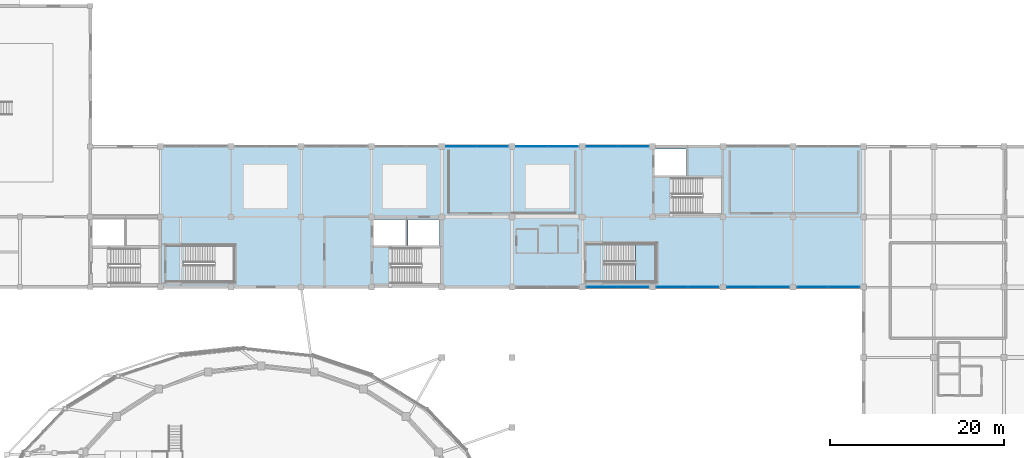
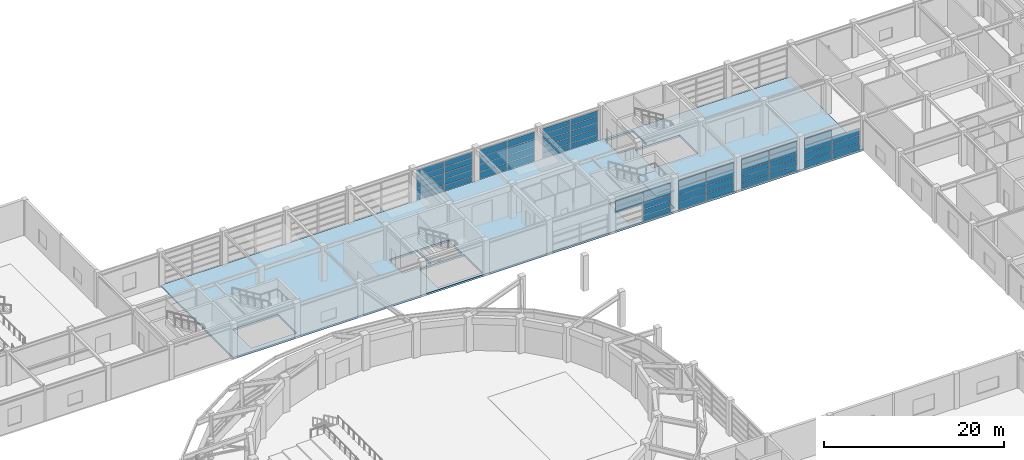
# One storey, part 34 of 56: 60 plates, 2 slabs, 8 elements without a shape of their own.
"""IFC4 building model written with IfcOpenShell, lengths in metres."""

from ifc_helpers import new_model, si_unit, direction, frame, origin, origin_2d, place, context, subcontext, project, spatial, polyline, rectangle, outline, extrude, material, layer, layer_set, type_object, element, aggregate, save


model = new_model("IFC4")

# Units and contexts
model_context = context("Model", 3, precision=1e-05, world=origin(), true_north=direction((0.0, 1.0)))
body_context = subcontext(model_context, "Body", "Model", "MODEL_VIEW")
ifc_project = project(units=[si_unit("LENGTHUNIT", "METRE"), si_unit("AREAUNIT", "SQUARE_METRE"), si_unit("VOLUMEUNIT", "CUBIC_METRE"), si_unit("PLANEANGLEUNIT", "RADIAN"), si_unit("MASSUNIT", "GRAM", prefix="KILO")], contexts=[model_context])

# Site, building, storey
site_placement = place(None, origin())
site = spatial("IfcSite", under=ifc_project, at=site_placement, CompositionType="ELEMENT")
building_placement = place(site_placement, origin())
building = spatial("IfcBuilding", under=site, at=building_placement, Name="Parian Resonance Hall", CompositionType="ELEMENT")
storey_placement = place(building_placement, frame((0.0, 0.0, 5.39990234375)))
storey = spatial("IfcBuildingStorey", under=building, at=storey_placement, Name="L01", CompositionType="ELEMENT", Elevation=5.39990234375)

# Curtain wall, plates
ifc_material_1 = material(Name="Bronze-anodised aluminium frame", Category="aluminium")
curtain_wall_type_1 = type_object("IfcCurtainWallType", Name="CW-SYS-04", PredefinedType="NOTDEFINED", material=ifc_material_1)
curtain_wall_1_placement = place(storey_placement, origin())
curtain_wall_1 = element("IfcCurtainWall", 1, at=curtain_wall_1_placement, inside=storey, type_object=curtain_wall_type_1, Name="Curtain wall CW-L01-091", PredefinedType="NOTDEFINED")
ifc_material_2 = material(Name="Acoustic laminated double glazing", Category="glass")
ifc_layer_1 = layer(ifc_material_2, 0.031982421875)
ifc_layer_set_1 = layer_set([ifc_layer_1], Name="Acoustic laminated double glazing")
plate_type_1 = type_object("IfcPlateType", Name="CWP-IGU32", PredefinedType="CURTAIN_PANEL", material=ifc_layer_set_1)
plate_1_placement = place(storey_placement, frame((67.05615234375, 89.10009765625, 0.05712890625), z_axis=(0.0, 0.0, 1.0), x_axis=(1.0, 0.0, 0.0)))
plate_1 = element("IfcPlate", 2, at=plate_1_placement, type_object=plate_type_1, Name="CW-04 panel 1.1", PredefinedType="CURTAIN_PANEL", context=body_context, shape_type="SweptSolid", body=[
    extrude(rectangle(XDim=3.5224609375, YDim=0.031982421875, at=origin_2d()), origin(), (0.0, 0.0, 1.0), 0.73779296875),
])
plate_2_placement = place(storey_placement, frame((67.05615234375, 89.10009765625, 0.85986328125), z_axis=(0.0, 0.0, 1.0), x_axis=(1.0, 0.0, 0.0)))
plate_2 = element("IfcPlate", 3, at=plate_2_placement, type_object=plate_type_1, Name="CW-04 panel 1.2", PredefinedType="CURTAIN_PANEL", context=body_context, shape_type="SweptSolid", body=[
    extrude(rectangle(XDim=3.5224609375, YDim=0.031982421875, at=origin_2d()), origin(), (0.0, 0.0, 1.0), 0.762451171875),
])
plate_3_placement = place(storey_placement, frame((67.05615234375, 89.10009765625, 1.6875), z_axis=(0.0, 0.0, 1.0), x_axis=(1.0, 0.0, 0.0)))
plate_3 = element("IfcPlate", 4, at=plate_3_placement, type_object=plate_type_1, Name="CW-04 panel 1.3", PredefinedType="CURTAIN_PANEL", context=body_context, shape_type="SweptSolid", body=[
    extrude(rectangle(XDim=3.5224609375, YDim=0.031982421875, at=origin_2d()), origin(), (0.0, 0.0, 1.0), 0.762451171875),
])
plate_4_placement = place(storey_placement, frame((67.05615234375, 89.10009765625, 2.5146484375), z_axis=(0.0, 0.0, 1.0), x_axis=(1.0, 0.0, 0.0)))
plate_4 = element("IfcPlate", 5, at=plate_4_placement, type_object=plate_type_1, Name="CW-04 panel 1.4", PredefinedType="CURTAIN_PANEL", context=body_context, shape_type="SweptSolid", body=[
    extrude(rectangle(XDim=3.5224609375, YDim=0.031982421875, at=origin_2d()), origin(), (0.0, 0.0, 1.0), 0.762451171875),
])
plate_5_placement = place(storey_placement, frame((67.05615234375, 89.10009765625, 3.34228515625), z_axis=(0.0, 0.0, 1.0), x_axis=(1.0, 0.0, 0.0)))
plate_5 = element("IfcPlate", 6, at=plate_5_placement, type_object=plate_type_1, Name="CW-04 panel 1.5", PredefinedType="CURTAIN_PANEL", context=body_context, shape_type="SweptSolid", body=[
    extrude(rectangle(XDim=3.5224609375, YDim=0.031982421875, at=origin_2d()), origin(), (0.0, 0.0, 1.0), 0.739990234375),
])
plate_6_placement = place(storey_placement, frame((70.643798828125, 89.10009765625, 0.05712890625), z_axis=(0.0, 0.0, 1.0), x_axis=(1.0, 0.0, 0.0)))
plate_6 = element("IfcPlate", 7, at=plate_6_placement, type_object=plate_type_1, Name="CW-04 panel 2.1", PredefinedType="CURTAIN_PANEL", context=body_context, shape_type="SweptSolid", body=[
    extrude(rectangle(XDim=3.5224609375, YDim=0.031982421875, at=origin_2d()), origin(), (0.0, 0.0, 1.0), 0.73779296875),
])
plate_7_placement = place(storey_placement, frame((70.643798828125, 89.10009765625, 0.85986328125), z_axis=(0.0, 0.0, 1.0), x_axis=(1.0, 0.0, 0.0)))
plate_7 = element("IfcPlate", 8, at=plate_7_placement, type_object=plate_type_1, Name="CW-04 panel 2.2", PredefinedType="CURTAIN_PANEL", context=body_context, shape_type="SweptSolid", body=[
    extrude(rectangle(XDim=3.5224609375, YDim=0.031982421875, at=origin_2d()), origin(), (0.0, 0.0, 1.0), 0.762451171875),
])
plate_8_placement = place(storey_placement, frame((70.643798828125, 89.10009765625, 1.6875), z_axis=(0.0, 0.0, 1.0), x_axis=(1.0, 0.0, 0.0)))
plate_8 = element("IfcPlate", 9, at=plate_8_placement, type_object=plate_type_1, Name="CW-04 panel 2.3", PredefinedType="CURTAIN_PANEL", context=body_context, shape_type="SweptSolid", body=[
    extrude(rectangle(XDim=3.5224609375, YDim=0.031982421875, at=origin_2d()), origin(), (0.0, 0.0, 1.0), 0.762451171875),
])
plate_9_placement = place(storey_placement, frame((70.643798828125, 89.10009765625, 2.5146484375), z_axis=(0.0, 0.0, 1.0), x_axis=(1.0, 0.0, 0.0)))
plate_9 = element("IfcPlate", 10, at=plate_9_placement, type_object=plate_type_1, Name="CW-04 panel 2.4", PredefinedType="CURTAIN_PANEL", context=body_context, shape_type="SweptSolid", body=[
    extrude(rectangle(XDim=3.5224609375, YDim=0.031982421875, at=origin_2d()), origin(), (0.0, 0.0, 1.0), 0.762451171875),
])
plate_10_placement = place(storey_placement, frame((70.643798828125, 89.10009765625, 3.34228515625), z_axis=(0.0, 0.0, 1.0), x_axis=(1.0, 0.0, 0.0)))
plate_10 = element("IfcPlate", 11, at=plate_10_placement, type_object=plate_type_1, Name="CW-04 panel 2.5", PredefinedType="CURTAIN_PANEL", context=body_context, shape_type="SweptSolid", body=[
    extrude(rectangle(XDim=3.5224609375, YDim=0.031982421875, at=origin_2d()), origin(), (0.0, 0.0, 1.0), 0.739990234375),
])
aggregate(curtain_wall_1, [plate_1, plate_2, plate_3, plate_4, plate_5, plate_6, plate_7, plate_8, plate_9, plate_10])

ifc_material_3 = material(Name="Bronze-anodised aluminium frame", Category="aluminium")
curtain_wall_type_2 = type_object("IfcCurtainWallType", Name="CW-SYS-05", PredefinedType="NOTDEFINED", material=ifc_material_3)
curtain_wall_2_placement = place(storey_placement, origin())
curtain_wall_2 = element("IfcCurtainWall", 12, at=curtain_wall_2_placement, inside=storey, type_object=curtain_wall_type_2, Name="Curtain wall CW-L01-094", PredefinedType="NOTDEFINED")
plate_11_placement = place(storey_placement, frame((75.15869140625, 89.10009765625, 0.06689453125), z_axis=(0.0, 0.0, 1.0), x_axis=(1.0, 0.0, 0.0)))
plate_11 = element("IfcPlate", 13, at=plate_11_placement, type_object=plate_type_1, Name="CW-05 panel 1.1", PredefinedType="CURTAIN_PANEL", context=body_context, shape_type="SweptSolid", body=[
    extrude(rectangle(XDim=3.507568359375, YDim=0.031982421875, at=origin_2d()), origin(), (0.0, 0.0, 1.0), 0.916748046875),
])
plate_12_placement = place(storey_placement, frame((75.15869140625, 89.10009765625, 1.058837890625), z_axis=(0.0, 0.0, 1.0), x_axis=(1.0, 0.0, 0.0)))
plate_12 = element("IfcPlate", 14, at=plate_12_placement, type_object=plate_type_1, Name="CW-05 panel 1.2", PredefinedType="CURTAIN_PANEL", context=body_context, shape_type="SweptSolid", body=[
    extrude(rectangle(XDim=3.507568359375, YDim=0.031982421875, at=origin_2d()), origin(), (0.0, 0.0, 1.0), 0.9462890625),
])
plate_13_placement = place(storey_placement, frame((75.15869140625, 89.10009765625, 2.080078125), z_axis=(0.0, 0.0, 1.0), x_axis=(1.0, 0.0, 0.0)))
plate_13 = element("IfcPlate", 15, at=plate_13_placement, type_object=plate_type_1, Name="CW-05 panel 1.3", PredefinedType="CURTAIN_PANEL", context=body_context, shape_type="SweptSolid", body=[
    extrude(rectangle(XDim=3.507568359375, YDim=0.031982421875, at=origin_2d()), origin(), (0.0, 0.0, 1.0), 0.9462890625),
])
plate_14_placement = place(storey_placement, frame((75.15869140625, 89.10009765625, 3.1015625), z_axis=(0.0, 0.0, 1.0), x_axis=(1.0, 0.0, 0.0)))
plate_14 = element("IfcPlate", 16, at=plate_14_placement, type_object=plate_type_1, Name="CW-05 panel 1.4", PredefinedType="CURTAIN_PANEL", context=body_context, shape_type="SweptSolid", body=[
    extrude(rectangle(XDim=3.507568359375, YDim=0.031982421875, at=origin_2d()), origin(), (0.0, 0.0, 1.0), 0.918701171875),
])
plate_15_placement = place(storey_placement, frame((78.7412109375, 89.10009765625, 0.06689453125), z_axis=(0.0, 0.0, 1.0), x_axis=(1.0, 0.0, 0.0)))
plate_15 = element("IfcPlate", 17, at=plate_15_placement, type_object=plate_type_1, Name="CW-05 panel 2.1", PredefinedType="CURTAIN_PANEL", context=body_context, shape_type="SweptSolid", body=[
    extrude(rectangle(XDim=3.507568359375, YDim=0.031982421875, at=origin_2d()), origin(), (0.0, 0.0, 1.0), 0.916748046875),
])
plate_16_placement = place(storey_placement, frame((78.7412109375, 89.10009765625, 1.058837890625), z_axis=(0.0, 0.0, 1.0), x_axis=(1.0, 0.0, 0.0)))
plate_16 = element("IfcPlate", 18, at=plate_16_placement, type_object=plate_type_1, Name="CW-05 panel 2.2", PredefinedType="CURTAIN_PANEL", context=body_context, shape_type="SweptSolid", body=[
    extrude(rectangle(XDim=3.507568359375, YDim=0.031982421875, at=origin_2d()), origin(), (0.0, 0.0, 1.0), 0.9462890625),
])
plate_17_placement = place(storey_placement, frame((78.7412109375, 89.10009765625, 2.080078125), z_axis=(0.0, 0.0, 1.0), x_axis=(1.0, 0.0, 0.0)))
plate_17 = element("IfcPlate", 19, at=plate_17_placement, type_object=plate_type_1, Name="CW-05 panel 2.3", PredefinedType="CURTAIN_PANEL", context=body_context, shape_type="SweptSolid", body=[
    extrude(rectangle(XDim=3.507568359375, YDim=0.031982421875, at=origin_2d()), origin(), (0.0, 0.0, 1.0), 0.9462890625),
])
plate_18_placement = place(storey_placement, frame((78.7412109375, 89.10009765625, 3.1015625), z_axis=(0.0, 0.0, 1.0), x_axis=(1.0, 0.0, 0.0)))
plate_18 = element("IfcPlate", 20, at=plate_18_placement, type_object=plate_type_1, Name="CW-05 panel 2.4", PredefinedType="CURTAIN_PANEL", context=body_context, shape_type="SweptSolid", body=[
    extrude(rectangle(XDim=3.507568359375, YDim=0.031982421875, at=origin_2d()), origin(), (0.0, 0.0, 1.0), 0.918701171875),
])
aggregate(curtain_wall_2, [plate_11, plate_12, plate_13, plate_14, plate_15, plate_16, plate_17, plate_18])

ifc_material_4 = material(Name="Bronze-anodised aluminium frame", Category="aluminium")
curtain_wall_type_3 = type_object("IfcCurtainWallType", Name="CW-SYS-01", PredefinedType="NOTDEFINED", material=ifc_material_4)
curtain_wall_3_placement = place(storey_placement, origin())
curtain_wall_3 = element("IfcCurtainWall", 21, at=curtain_wall_3_placement, inside=storey, type_object=curtain_wall_type_3, Name="Curtain wall CW-L01-112", PredefinedType="NOTDEFINED")
plate_19_placement = place(storey_placement, frame((86.84130859375, 72.89990234375, 0.06689453125), z_axis=(0.0, 0.0, 1.0), x_axis=(-1.0, 0.0, 0.0)))
plate_19 = element("IfcPlate", 22, at=plate_19_placement, type_object=plate_type_1, Name="CW-01 panel 1.1", PredefinedType="CURTAIN_PANEL", context=body_context, shape_type="SweptSolid", body=[
    extrude(rectangle(XDim=3.507568359375, YDim=0.031982421875, at=origin_2d()), origin(), (0.0, 0.0, 1.0), 0.722900390625),
])
plate_20_placement = place(storey_placement, frame((86.84130859375, 72.89990234375, 0.864990234375), z_axis=(0.0, 0.0, 1.0), x_axis=(-1.0, 0.0, 0.0)))
plate_20 = element("IfcPlate", 23, at=plate_20_placement, type_object=plate_type_1, Name="CW-01 panel 1.2", PredefinedType="CURTAIN_PANEL", context=body_context, shape_type="SweptSolid", body=[
    extrude(rectangle(XDim=3.507568359375, YDim=0.031982421875, at=origin_2d()), origin(), (0.0, 0.0, 1.0), 0.75244140625),
])
plate_21_placement = place(storey_placement, frame((86.84130859375, 72.89990234375, 1.6923828125), z_axis=(0.0, 0.0, 1.0), x_axis=(-1.0, 0.0, 0.0)))
plate_21 = element("IfcPlate", 24, at=plate_21_placement, type_object=plate_type_1, Name="CW-01 panel 1.3", PredefinedType="CURTAIN_PANEL", context=body_context, shape_type="SweptSolid", body=[
    extrude(rectangle(XDim=3.507568359375, YDim=0.031982421875, at=origin_2d()), origin(), (0.0, 0.0, 1.0), 0.75244140625),
])
plate_22_placement = place(storey_placement, frame((86.84130859375, 72.89990234375, 2.519775390625), z_axis=(0.0, 0.0, 1.0), x_axis=(-1.0, 0.0, 0.0)))
plate_22 = element("IfcPlate", 25, at=plate_22_placement, type_object=plate_type_1, Name="CW-01 panel 1.4", PredefinedType="CURTAIN_PANEL", context=body_context, shape_type="SweptSolid", body=[
    extrude(rectangle(XDim=3.507568359375, YDim=0.031982421875, at=origin_2d()), origin(), (0.0, 0.0, 1.0), 0.75244140625),
])
plate_23_placement = place(storey_placement, frame((86.84130859375, 72.89990234375, 3.34716796875), z_axis=(0.0, 0.0, 1.0), x_axis=(-1.0, 0.0, 0.0)))
plate_23 = element("IfcPlate", 26, at=plate_23_placement, type_object=plate_type_1, Name="CW-01 panel 1.5", PredefinedType="CURTAIN_PANEL", context=body_context, shape_type="SweptSolid", body=[
    extrude(rectangle(XDim=3.507568359375, YDim=0.031982421875, at=origin_2d()), origin(), (0.0, 0.0, 1.0), 0.724853515625),
])
plate_24_placement = place(storey_placement, frame((83.2587890625, 72.89990234375, 2.519775390625), z_axis=(0.0, 0.0, 1.0), x_axis=(-1.0, 0.0, 0.0)))
plate_24 = element("IfcPlate", 27, at=plate_24_placement, type_object=plate_type_1, Name="CW-01 panel 2.4", PredefinedType="CURTAIN_PANEL", context=body_context, shape_type="SweptSolid", body=[
    extrude(rectangle(XDim=3.507568359375, YDim=0.031982421875, at=origin_2d()), origin(), (0.0, 0.0, 1.0), 0.75244140625),
])
plate_25_placement = place(storey_placement, frame((83.2587890625, 72.89990234375, 3.34716796875), z_axis=(0.0, 0.0, 1.0), x_axis=(-1.0, 0.0, 0.0)))
plate_25 = element("IfcPlate", 28, at=plate_25_placement, type_object=plate_type_1, Name="CW-01 panel 2.5", PredefinedType="CURTAIN_PANEL", context=body_context, shape_type="SweptSolid", body=[
    extrude(rectangle(XDim=3.507568359375, YDim=0.031982421875, at=origin_2d()), origin(), (0.0, 0.0, 1.0), 0.724853515625),
])
aggregate(curtain_wall_3, [plate_19, plate_20, plate_21, plate_22, plate_23, plate_24, plate_25])

ifc_material_5 = material(Name="Bronze-anodised aluminium frame", Category="aluminium")
curtain_wall_type_4 = type_object("IfcCurtainWallType", Name="CW-SYS-02", PredefinedType="NOTDEFINED", material=ifc_material_5)
curtain_wall_4_placement = place(storey_placement, origin())
curtain_wall_4 = element("IfcCurtainWall", 29, at=curtain_wall_4_placement, inside=storey, type_object=curtain_wall_type_4, Name="Curtain wall CW-L01-118", PredefinedType="NOTDEFINED")
plate_26_placement = place(storey_placement, frame((94.941162109375, 72.89990234375, 0.06689453125), z_axis=(0.0, 0.0, 1.0), x_axis=(-1.0, 0.0, 0.0)))
plate_26 = element("IfcPlate", 30, at=plate_26_placement, type_object=plate_type_1, Name="CW-02 panel 1.1", PredefinedType="CURTAIN_PANEL", context=body_context, shape_type="SweptSolid", body=[
    extrude(rectangle(XDim=3.507568359375, YDim=0.031982421875, at=origin_2d()), origin(), (0.0, 0.0, 1.0), 0.916748046875),
])
plate_27_placement = place(storey_placement, frame((94.941162109375, 72.89990234375, 1.058837890625), z_axis=(0.0, 0.0, 1.0), x_axis=(-1.0, 0.0, 0.0)))
plate_27 = element("IfcPlate", 31, at=plate_27_placement, type_object=plate_type_1, Name="CW-02 panel 1.2", PredefinedType="CURTAIN_PANEL", context=body_context, shape_type="SweptSolid", body=[
    extrude(rectangle(XDim=3.507568359375, YDim=0.031982421875, at=origin_2d()), origin(), (0.0, 0.0, 1.0), 0.9462890625),
])
plate_28_placement = place(storey_placement, frame((94.941162109375, 72.89990234375, 2.080078125), z_axis=(0.0, 0.0, 1.0), x_axis=(-1.0, 0.0, 0.0)))
plate_28 = element("IfcPlate", 32, at=plate_28_placement, type_object=plate_type_1, Name="CW-02 panel 1.3", PredefinedType="CURTAIN_PANEL", context=body_context, shape_type="SweptSolid", body=[
    extrude(rectangle(XDim=3.507568359375, YDim=0.031982421875, at=origin_2d()), origin(), (0.0, 0.0, 1.0), 0.9462890625),
])
plate_29_placement = place(storey_placement, frame((94.941162109375, 72.89990234375, 3.1015625), z_axis=(0.0, 0.0, 1.0), x_axis=(-1.0, 0.0, 0.0)))
plate_29 = element("IfcPlate", 33, at=plate_29_placement, type_object=plate_type_1, Name="CW-02 panel 1.4", PredefinedType="CURTAIN_PANEL", context=body_context, shape_type="SweptSolid", body=[
    extrude(rectangle(XDim=3.507568359375, YDim=0.031982421875, at=origin_2d()), origin(), (0.0, 0.0, 1.0), 0.918701171875),
])
plate_30_placement = place(storey_placement, frame((91.358642578125, 72.89990234375, 0.06689453125), z_axis=(0.0, 0.0, 1.0), x_axis=(-1.0, 0.0, 0.0)))
plate_30 = element("IfcPlate", 34, at=plate_30_placement, type_object=plate_type_1, Name="CW-02 panel 2.1", PredefinedType="CURTAIN_PANEL", context=body_context, shape_type="SweptSolid", body=[
    extrude(rectangle(XDim=3.507568359375, YDim=0.031982421875, at=origin_2d()), origin(), (0.0, 0.0, 1.0), 0.916748046875),
])
plate_31_placement = place(storey_placement, frame((91.358642578125, 72.89990234375, 1.058837890625), z_axis=(0.0, 0.0, 1.0), x_axis=(-1.0, 0.0, 0.0)))
plate_31 = element("IfcPlate", 35, at=plate_31_placement, type_object=plate_type_1, Name="CW-02 panel 2.2", PredefinedType="CURTAIN_PANEL", context=body_context, shape_type="SweptSolid", body=[
    extrude(rectangle(XDim=3.507568359375, YDim=0.031982421875, at=origin_2d()), origin(), (0.0, 0.0, 1.0), 0.9462890625),
])
plate_32_placement = place(storey_placement, frame((91.358642578125, 72.89990234375, 2.080078125), z_axis=(0.0, 0.0, 1.0), x_axis=(-1.0, 0.0, 0.0)))
plate_32 = element("IfcPlate", 36, at=plate_32_placement, type_object=plate_type_1, Name="CW-02 panel 2.3", PredefinedType="CURTAIN_PANEL", context=body_context, shape_type="SweptSolid", body=[
    extrude(rectangle(XDim=3.507568359375, YDim=0.031982421875, at=origin_2d()), origin(), (0.0, 0.0, 1.0), 0.9462890625),
])
plate_33_placement = place(storey_placement, frame((91.358642578125, 72.89990234375, 3.1015625), z_axis=(0.0, 0.0, 1.0), x_axis=(-1.0, 0.0, 0.0)))
plate_33 = element("IfcPlate", 37, at=plate_33_placement, type_object=plate_type_1, Name="CW-02 panel 2.4", PredefinedType="CURTAIN_PANEL", context=body_context, shape_type="SweptSolid", body=[
    extrude(rectangle(XDim=3.507568359375, YDim=0.031982421875, at=origin_2d()), origin(), (0.0, 0.0, 1.0), 0.918701171875),
])
aggregate(curtain_wall_4, [plate_26, plate_27, plate_28, plate_29, plate_30, plate_31, plate_32, plate_33])

ifc_material_6 = material(Name="Bronze-anodised aluminium frame", Category="aluminium")
curtain_wall_type_5 = type_object("IfcCurtainWallType", Name="CW-SYS-03", PredefinedType="NOTDEFINED", material=ifc_material_6)
curtain_wall_5_placement = place(storey_placement, origin())
curtain_wall_5 = element("IfcCurtainWall", 38, at=curtain_wall_5_placement, inside=storey, type_object=curtain_wall_type_5, Name="Curtain wall CW-L01-124", PredefinedType="NOTDEFINED")
plate_34_placement = place(storey_placement, frame((103.041259765625, 72.89990234375, 0.06689453125), z_axis=(0.0, 0.0, 1.0), x_axis=(-1.0, 0.0, 0.0)))
plate_34 = element("IfcPlate", 39, at=plate_34_placement, type_object=plate_type_1, Name="CW-03 panel 1.1", PredefinedType="CURTAIN_PANEL", context=body_context, shape_type="SweptSolid", body=[
    extrude(rectangle(XDim=3.507568359375, YDim=0.031982421875, at=origin_2d()), origin(), (0.0, 0.0, 1.0), 0.722900390625),
])
plate_35_placement = place(storey_placement, frame((103.041259765625, 72.89990234375, 0.864990234375), z_axis=(0.0, 0.0, 1.0), x_axis=(-1.0, 0.0, 0.0)))
plate_35 = element("IfcPlate", 40, at=plate_35_placement, type_object=plate_type_1, Name="CW-03 panel 1.2", PredefinedType="CURTAIN_PANEL", context=body_context, shape_type="SweptSolid", body=[
    extrude(rectangle(XDim=3.507568359375, YDim=0.031982421875, at=origin_2d()), origin(), (0.0, 0.0, 1.0), 0.75244140625),
])
plate_36_placement = place(storey_placement, frame((103.041259765625, 72.89990234375, 1.6923828125), z_axis=(0.0, 0.0, 1.0), x_axis=(-1.0, 0.0, 0.0)))
plate_36 = element("IfcPlate", 41, at=plate_36_placement, type_object=plate_type_1, Name="CW-03 panel 1.3", PredefinedType="CURTAIN_PANEL", context=body_context, shape_type="SweptSolid", body=[
    extrude(rectangle(XDim=3.507568359375, YDim=0.031982421875, at=origin_2d()), origin(), (0.0, 0.0, 1.0), 0.75244140625),
])
plate_37_placement = place(storey_placement, frame((103.041259765625, 72.89990234375, 2.519775390625), z_axis=(0.0, 0.0, 1.0), x_axis=(-1.0, 0.0, 0.0)))
plate_37 = element("IfcPlate", 42, at=plate_37_placement, type_object=plate_type_1, Name="CW-03 panel 1.4", PredefinedType="CURTAIN_PANEL", context=body_context, shape_type="SweptSolid", body=[
    extrude(rectangle(XDim=3.507568359375, YDim=0.031982421875, at=origin_2d()), origin(), (0.0, 0.0, 1.0), 0.75244140625),
])
plate_38_placement = place(storey_placement, frame((103.041259765625, 72.89990234375, 3.34716796875), z_axis=(0.0, 0.0, 1.0), x_axis=(-1.0, 0.0, 0.0)))
plate_38 = element("IfcPlate", 43, at=plate_38_placement, type_object=plate_type_1, Name="CW-03 panel 1.5", PredefinedType="CURTAIN_PANEL", context=body_context, shape_type="SweptSolid", body=[
    extrude(rectangle(XDim=3.507568359375, YDim=0.031982421875, at=origin_2d()), origin(), (0.0, 0.0, 1.0), 0.724853515625),
])
plate_39_placement = place(storey_placement, frame((99.458740234375, 72.89990234375, 0.06689453125), z_axis=(0.0, 0.0, 1.0), x_axis=(-1.0, 0.0, 0.0)))
plate_39 = element("IfcPlate", 44, at=plate_39_placement, type_object=plate_type_1, Name="CW-03 panel 2.1", PredefinedType="CURTAIN_PANEL", context=body_context, shape_type="SweptSolid", body=[
    extrude(rectangle(XDim=3.507568359375, YDim=0.031982421875, at=origin_2d()), origin(), (0.0, 0.0, 1.0), 0.722900390625),
])
plate_40_placement = place(storey_placement, frame((99.458740234375, 72.89990234375, 0.864990234375), z_axis=(0.0, 0.0, 1.0), x_axis=(-1.0, 0.0, 0.0)))
plate_40 = element("IfcPlate", 45, at=plate_40_placement, type_object=plate_type_1, Name="CW-03 panel 2.2", PredefinedType="CURTAIN_PANEL", context=body_context, shape_type="SweptSolid", body=[
    extrude(rectangle(XDim=3.507568359375, YDim=0.031982421875, at=origin_2d()), origin(), (0.0, 0.0, 1.0), 0.75244140625),
])
plate_41_placement = place(storey_placement, frame((99.458740234375, 72.89990234375, 1.6923828125), z_axis=(0.0, 0.0, 1.0), x_axis=(-1.0, 0.0, 0.0)))
plate_41 = element("IfcPlate", 46, at=plate_41_placement, type_object=plate_type_1, Name="CW-03 panel 2.3", PredefinedType="CURTAIN_PANEL", context=body_context, shape_type="SweptSolid", body=[
    extrude(rectangle(XDim=3.507568359375, YDim=0.031982421875, at=origin_2d()), origin(), (0.0, 0.0, 1.0), 0.75244140625),
])
plate_42_placement = place(storey_placement, frame((99.458740234375, 72.89990234375, 2.519775390625), z_axis=(0.0, 0.0, 1.0), x_axis=(-1.0, 0.0, 0.0)))
plate_42 = element("IfcPlate", 47, at=plate_42_placement, type_object=plate_type_1, Name="CW-03 panel 2.4", PredefinedType="CURTAIN_PANEL", context=body_context, shape_type="SweptSolid", body=[
    extrude(rectangle(XDim=3.507568359375, YDim=0.031982421875, at=origin_2d()), origin(), (0.0, 0.0, 1.0), 0.75244140625),
])
plate_43_placement = place(storey_placement, frame((99.458740234375, 72.89990234375, 3.34716796875), z_axis=(0.0, 0.0, 1.0), x_axis=(-1.0, 0.0, 0.0)))
plate_43 = element("IfcPlate", 48, at=plate_43_placement, type_object=plate_type_1, Name="CW-03 panel 2.5", PredefinedType="CURTAIN_PANEL", context=body_context, shape_type="SweptSolid", body=[
    extrude(rectangle(XDim=3.507568359375, YDim=0.031982421875, at=origin_2d()), origin(), (0.0, 0.0, 1.0), 0.724853515625),
])
aggregate(curtain_wall_5, [plate_34, plate_35, plate_36, plate_37, plate_38, plate_39, plate_40, plate_41, plate_42, plate_43])

ifc_material_7 = material(Name="Bronze-anodised aluminium frame", Category="aluminium")
curtain_wall_type_6 = type_object("IfcCurtainWallType", Name="CW-SYS-06", PredefinedType="NOTDEFINED", material=ifc_material_7)
curtain_wall_6_placement = place(storey_placement, origin())
curtain_wall_6 = element("IfcCurtainWall", 49, at=curtain_wall_6_placement, inside=storey, type_object=curtain_wall_type_6, Name="Curtain wall CW-L01-098", PredefinedType="NOTDEFINED")
ifc_material_8 = material(Name="Acoustic laminated double glazing", Category="glass")
ifc_layer_2 = layer(ifc_material_8, 0.0419921875)
ifc_layer_set_2 = layer_set([ifc_layer_2], Name="Acoustic laminated double glazing")
plate_type_2 = type_object("IfcPlateType", Name="CWP-IGU42", PredefinedType="CURTAIN_PANEL", material=ifc_layer_set_2)
plate_44_placement = place(storey_placement, frame((83.2587890625, 89.10009765625, 0.06689453125), z_axis=(0.0, 0.0, 1.0), x_axis=(1.0, 0.0, 0.0)))
plate_44 = element("IfcPlate", 50, at=plate_44_placement, type_object=plate_type_2, Name="CW-06 panel 1.1", PredefinedType="CURTAIN_PANEL", context=body_context, shape_type="SweptSolid", body=[
    extrude(rectangle(XDim=3.507568359375, YDim=0.0419921875, at=origin_2d()), origin(), (0.0, 0.0, 1.0), 0.722900390625),
])
plate_45_placement = place(storey_placement, frame((83.2587890625, 89.10009765625, 0.864990234375), z_axis=(0.0, 0.0, 1.0), x_axis=(1.0, 0.0, 0.0)))
plate_45 = element("IfcPlate", 51, at=plate_45_placement, type_object=plate_type_2, Name="CW-06 panel 1.2", PredefinedType="CURTAIN_PANEL", context=body_context, shape_type="SweptSolid", body=[
    extrude(rectangle(XDim=3.507568359375, YDim=0.0419921875, at=origin_2d()), origin(), (0.0, 0.0, 1.0), 0.75244140625),
])
plate_46_placement = place(storey_placement, frame((83.2587890625, 89.10009765625, 1.6923828125), z_axis=(0.0, 0.0, 1.0), x_axis=(1.0, 0.0, 0.0)))
plate_46 = element("IfcPlate", 52, at=plate_46_placement, type_object=plate_type_2, Name="CW-06 panel 1.3", PredefinedType="CURTAIN_PANEL", context=body_context, shape_type="SweptSolid", body=[
    extrude(rectangle(XDim=3.507568359375, YDim=0.0419921875, at=origin_2d()), origin(), (0.0, 0.0, 1.0), 0.75244140625),
])
plate_47_placement = place(storey_placement, frame((83.2587890625, 89.10009765625, 2.519775390625), z_axis=(0.0, 0.0, 1.0), x_axis=(1.0, 0.0, 0.0)))
plate_47 = element("IfcPlate", 53, at=plate_47_placement, type_object=plate_type_2, Name="CW-06 panel 1.4", PredefinedType="CURTAIN_PANEL", context=body_context, shape_type="SweptSolid", body=[
    extrude(rectangle(XDim=3.507568359375, YDim=0.0419921875, at=origin_2d()), origin(), (0.0, 0.0, 1.0), 0.75244140625),
])
plate_48_placement = place(storey_placement, frame((83.2587890625, 89.10009765625, 3.34716796875), z_axis=(0.0, 0.0, 1.0), x_axis=(1.0, 0.0, 0.0)))
plate_48 = element("IfcPlate", 54, at=plate_48_placement, type_object=plate_type_2, Name="CW-06 panel 1.5", PredefinedType="CURTAIN_PANEL", context=body_context, shape_type="SweptSolid", body=[
    extrude(rectangle(XDim=3.507568359375, YDim=0.0419921875, at=origin_2d()), origin(), (0.0, 0.0, 1.0), 0.724853515625),
])
plate_49_placement = place(storey_placement, frame((86.84130859375, 89.10009765625, 0.06689453125), z_axis=(0.0, 0.0, 1.0), x_axis=(1.0, 0.0, 0.0)))
plate_49 = element("IfcPlate", 55, at=plate_49_placement, type_object=plate_type_2, Name="CW-06 panel 2.1", PredefinedType="CURTAIN_PANEL", context=body_context, shape_type="SweptSolid", body=[
    extrude(rectangle(XDim=3.507568359375, YDim=0.0419921875, at=origin_2d()), origin(), (0.0, 0.0, 1.0), 0.722900390625),
])
plate_50_placement = place(storey_placement, frame((86.84130859375, 89.10009765625, 0.864990234375), z_axis=(0.0, 0.0, 1.0), x_axis=(1.0, 0.0, 0.0)))
plate_50 = element("IfcPlate", 56, at=plate_50_placement, type_object=plate_type_2, Name="CW-06 panel 2.2", PredefinedType="CURTAIN_PANEL", context=body_context, shape_type="SweptSolid", body=[
    extrude(rectangle(XDim=3.507568359375, YDim=0.0419921875, at=origin_2d()), origin(), (0.0, 0.0, 1.0), 0.75244140625),
])
plate_51_placement = place(storey_placement, frame((86.84130859375, 89.10009765625, 1.6923828125), z_axis=(0.0, 0.0, 1.0), x_axis=(1.0, 0.0, 0.0)))
plate_51 = element("IfcPlate", 57, at=plate_51_placement, type_object=plate_type_2, Name="CW-06 panel 2.3", PredefinedType="CURTAIN_PANEL", context=body_context, shape_type="SweptSolid", body=[
    extrude(rectangle(XDim=3.507568359375, YDim=0.0419921875, at=origin_2d()), origin(), (0.0, 0.0, 1.0), 0.75244140625),
])
plate_52_placement = place(storey_placement, frame((86.84130859375, 89.10009765625, 2.519775390625), z_axis=(0.0, 0.0, 1.0), x_axis=(1.0, 0.0, 0.0)))
plate_52 = element("IfcPlate", 58, at=plate_52_placement, type_object=plate_type_2, Name="CW-06 panel 2.4", PredefinedType="CURTAIN_PANEL", context=body_context, shape_type="SweptSolid", body=[
    extrude(rectangle(XDim=3.507568359375, YDim=0.0419921875, at=origin_2d()), origin(), (0.0, 0.0, 1.0), 0.75244140625),
])
plate_53_placement = place(storey_placement, frame((86.84130859375, 89.10009765625, 3.34716796875), z_axis=(0.0, 0.0, 1.0), x_axis=(1.0, 0.0, 0.0)))
plate_53 = element("IfcPlate", 59, at=plate_53_placement, type_object=plate_type_2, Name="CW-06 panel 2.5", PredefinedType="CURTAIN_PANEL", context=body_context, shape_type="SweptSolid", body=[
    extrude(rectangle(XDim=3.507568359375, YDim=0.0419921875, at=origin_2d()), origin(), (0.0, 0.0, 1.0), 0.724853515625),
])
aggregate(curtain_wall_6, [plate_44, plate_45, plate_46, plate_47, plate_48, plate_49, plate_50, plate_51, plate_52, plate_53])

curtain_wall_7_placement = place(storey_placement, origin())
curtain_wall_7 = element("IfcCurtainWall", 60, at=curtain_wall_7_placement, inside=storey, type_object=curtain_wall_type_1, Name="Curtain wall CW-L01-128", PredefinedType="NOTDEFINED")
plate_54_placement = place(storey_placement, frame((111.141357421875, 72.89990234375, 0.06689453125), z_axis=(0.0, 0.0, 1.0), x_axis=(-1.0, 0.0, 0.0)))
plate_54 = element("IfcPlate", 61, at=plate_54_placement, type_object=plate_type_2, Name="CW-04 panel 1.1", PredefinedType="CURTAIN_PANEL", context=body_context, shape_type="SweptSolid", body=[
    extrude(rectangle(XDim=3.507568359375, YDim=0.0419921875, at=origin_2d()), origin(), (0.0, 0.0, 1.0), 0.916748046875),
])
plate_55_placement = place(storey_placement, frame((111.141357421875, 72.89990234375, 1.058837890625), z_axis=(0.0, 0.0, 1.0), x_axis=(-1.0, 0.0, 0.0)))
plate_55 = element("IfcPlate", 62, at=plate_55_placement, type_object=plate_type_2, Name="CW-04 panel 1.2", PredefinedType="CURTAIN_PANEL", context=body_context, shape_type="SweptSolid", body=[
    extrude(rectangle(XDim=3.507568359375, YDim=0.0419921875, at=origin_2d()), origin(), (0.0, 0.0, 1.0), 0.9462890625),
])
plate_56_placement = place(storey_placement, frame((111.141357421875, 72.89990234375, 2.080078125), z_axis=(0.0, 0.0, 1.0), x_axis=(-1.0, 0.0, 0.0)))
plate_56 = element("IfcPlate", 63, at=plate_56_placement, type_object=plate_type_2, Name="CW-04 panel 1.3", PredefinedType="CURTAIN_PANEL", context=body_context, shape_type="SweptSolid", body=[
    extrude(rectangle(XDim=3.507568359375, YDim=0.0419921875, at=origin_2d()), origin(), (0.0, 0.0, 1.0), 0.9462890625),
])
plate_57_placement = place(storey_placement, frame((107.558837890625, 72.89990234375, 0.06689453125), z_axis=(0.0, 0.0, 1.0), x_axis=(-1.0, 0.0, 0.0)))
plate_57 = element("IfcPlate", 64, at=plate_57_placement, type_object=plate_type_2, Name="CW-04 panel 2.1", PredefinedType="CURTAIN_PANEL", context=body_context, shape_type="SweptSolid", body=[
    extrude(rectangle(XDim=3.507568359375, YDim=0.0419921875, at=origin_2d()), origin(), (0.0, 0.0, 1.0), 0.916748046875),
])
plate_58_placement = place(storey_placement, frame((107.558837890625, 72.89990234375, 1.058837890625), z_axis=(0.0, 0.0, 1.0), x_axis=(-1.0, 0.0, 0.0)))
plate_58 = element("IfcPlate", 65, at=plate_58_placement, type_object=plate_type_2, Name="CW-04 panel 2.2", PredefinedType="CURTAIN_PANEL", context=body_context, shape_type="SweptSolid", body=[
    extrude(rectangle(XDim=3.507568359375, YDim=0.0419921875, at=origin_2d()), origin(), (0.0, 0.0, 1.0), 0.9462890625),
])
plate_59_placement = place(storey_placement, frame((107.558837890625, 72.89990234375, 2.080078125), z_axis=(0.0, 0.0, 1.0), x_axis=(-1.0, 0.0, 0.0)))
plate_59 = element("IfcPlate", 66, at=plate_59_placement, type_object=plate_type_2, Name="CW-04 panel 2.3", PredefinedType="CURTAIN_PANEL", context=body_context, shape_type="SweptSolid", body=[
    extrude(rectangle(XDim=3.507568359375, YDim=0.0419921875, at=origin_2d()), origin(), (0.0, 0.0, 1.0), 0.9462890625),
])
plate_60_placement = place(storey_placement, frame((107.558837890625, 72.89990234375, 3.1015625), z_axis=(0.0, 0.0, 1.0), x_axis=(-1.0, 0.0, 0.0)))
plate_60 = element("IfcPlate", 67, at=plate_60_placement, type_object=plate_type_2, Name="CW-04 panel 2.4", PredefinedType="CURTAIN_PANEL", context=body_context, shape_type="SweptSolid", body=[
    extrude(rectangle(XDim=3.507568359375, YDim=0.0419921875, at=origin_2d()), origin(), (0.0, 0.0, 1.0), 0.918701171875),
])
aggregate(curtain_wall_7, [plate_54, plate_55, plate_56, plate_57, plate_58, plate_59, plate_60])

# Slab
ifc_material_9 = material(Name="Concrete C35/45", Category="concrete")
ifc_layer_3 = layer(ifc_material_9, 0.25)
ifc_layer_set_3 = layer_set([ifc_layer_3], Name="Concrete C35/45")
slab_type_1 = type_object("IfcSlabType", Name="SLB-FLR-250", PredefinedType="FLOOR", material=ifc_layer_set_3)
slab_1_placement = place(storey_placement, frame((0.0, 0.0, -0.25)))
element("IfcSlab", 68, at=slab_1_placement, inside=storey, type_object=slab_type_1, Name="Cloister L01 foyer floor slab", PredefinedType="FLOOR", context=body_context, shape_type="SweptSolid", body=[
    extrude(outline(polyline([(32.39990234375, 72.89990234375), (113.39990234375, 72.89990234375), (113.39990234375, 89.10009765625), (32.39990234375, 89.10009765625), (32.39990234375, 72.89990234375)]), holes=[polyline([(64.659912109375, 77.39990234375), (64.659912109375, 73.300048828125), (58.89501953125, 73.300048828125), (58.89501953125, 77.39990234375), (64.659912109375, 77.39990234375)]), polyline([(40.889892578125, 73.5), (35.06494140625, 73.5), (35.06494140625, 77.679931640625), (40.889892578125, 77.679931640625), (40.889892578125, 73.5)]), polyline([(89.489990234375, 73.5), (83.56494140625, 73.5), (83.56494140625, 77.8798828125), (89.489990234375, 77.8798828125), (89.489990234375, 73.5)]), polyline([(60.60009765625, 77.64990234375), (56.93994140625, 77.64990234375), (56.93994140625, 80.699951171875), (60.60009765625, 80.699951171875), (60.60009765625, 77.64990234375)]), polyline([(64.56005859375, 77.64990234375), (60.89990234375, 77.64990234375), (60.89990234375, 80.699951171875), (64.56005859375, 80.699951171875), (64.56005859375, 77.64990234375)]), polyline([(97.02001953125, 81.39990234375), (91.27490234375, 81.39990234375), (91.27490234375, 85.4599609375), (97.02001953125, 85.4599609375), (97.02001953125, 81.39990234375)]), polyline([(93.0, 85.75), (89.340087890625, 85.75), (89.340087890625, 88.800048828125), (93.0, 88.800048828125), (93.0, 85.75)])]), origin(), (0.0, 0.0, 1.0), 0.25),
])

# Stair, slab
ifc_material_10 = material(Name="Concrete C40/50", Category="concrete")
stair_type = type_object("IfcStairType", Name="STAIR-FOYER-1650", PredefinedType="HALF_TURN_STAIR", material=ifc_material_10)
stair_placement = place(storey_placement, origin())
stair = element("IfcStair", 69, at=stair_placement, inside=storey, type_object=stair_type, Name="L01 ST-08", PredefinedType="HALF_TURN_STAIR")
ifc_material_11 = material(Name="Concrete C40/50", Category="concrete")
ifc_layer_4 = layer(ifc_material_11, 0.179931640625)
ifc_layer_set_4 = layer_set([ifc_layer_4], Name="Concrete C40/50")
slab_type_2 = type_object("IfcSlabType", Name="SLB-LANDING-180", PredefinedType="LANDING", material=ifc_layer_set_4)
slab_2_placement = place(storey_placement, frame((0.0, 0.0, 2.2001953125)))
slab_2 = element("IfcSlab", 70, at=slab_2_placement, type_object=slab_type_2, Name="ST-08 landing 1", PredefinedType="LANDING", context=body_context, shape_type="SweptSolid", body=[
    extrude(outline(polyline([(87.14990234375, 73.5), (89.489990234375, 73.5), (89.489990234375, 77.8798828125), (87.14990234375, 77.8798828125), (87.14990234375, 73.5)])), origin(), (0.0, 0.0, 1.0), 0.199951171875),
])
aggregate(stair, [slab_2])

save(model, "model.ifc")
